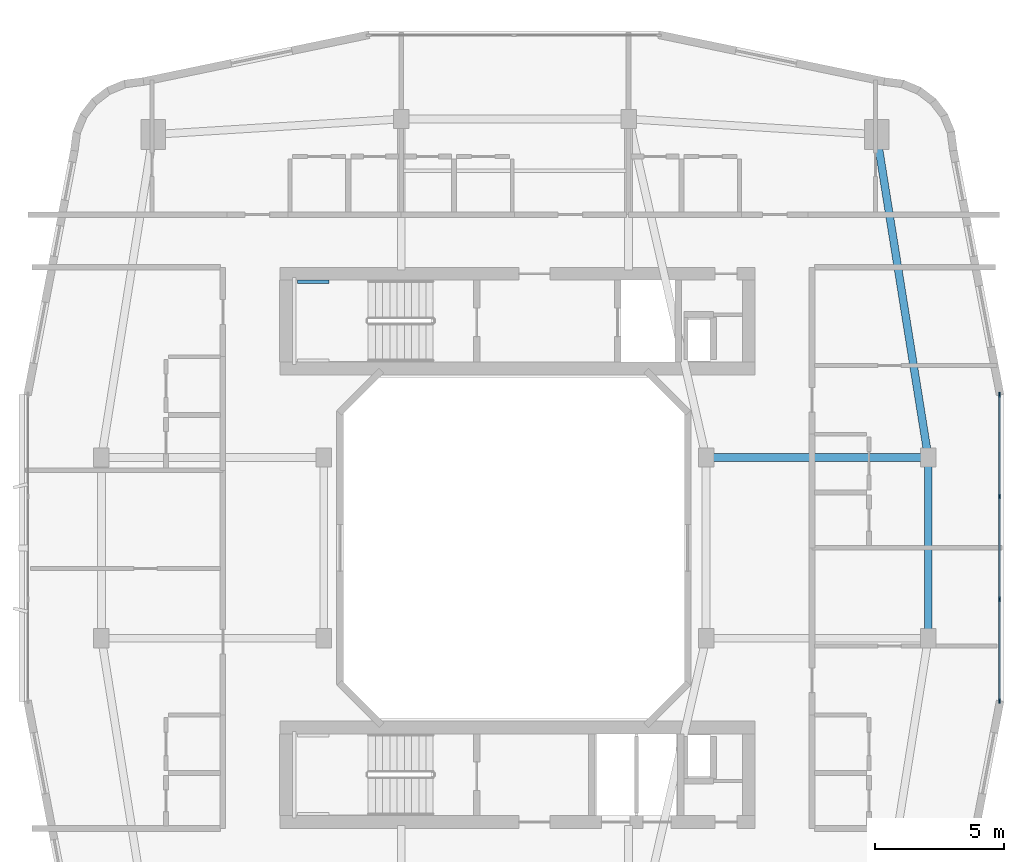
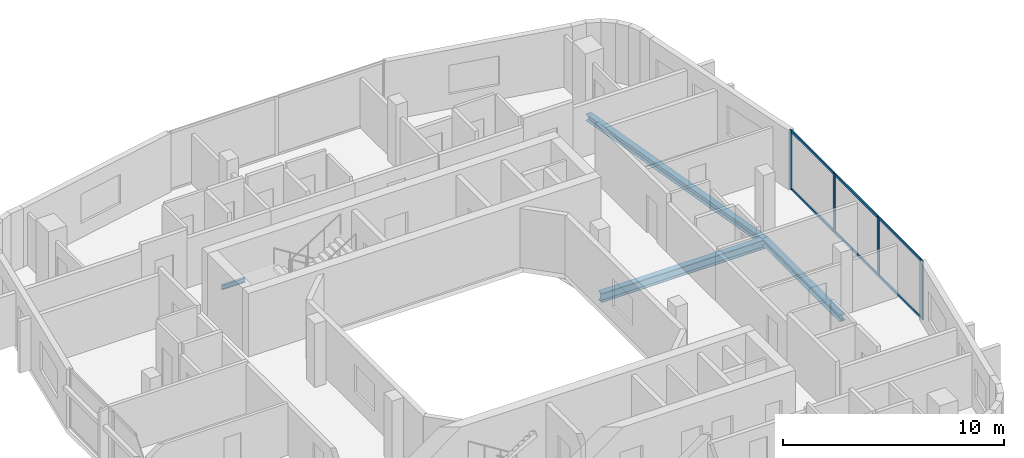
# One storey, part 10 of 27: 10 members, 4 beams, 1 element without a shape of its own.
"""IFC4 building model written with IfcOpenShell, lengths in metres."""

from ifc_helpers import new_model, si_unit, derived_unit, direction, frame, origin, origin_2d, place, context, subcontext, project, spatial, rectangle, i_section, extrude, material, layer, layer_set, material_profile, profile_set, type_object, element, aggregate, save


model = new_model("IFC4")

# Units and contexts
model_context = context("Model", 3, precision=1e-05, world=origin(), true_north=direction((0.0, 1.0)))
body_context = subcontext(model_context, "Body", "Model", "MODEL_VIEW")
ifc_project = project(units=[si_unit("LENGTHUNIT", "METRE"), si_unit("AREAUNIT", "SQUARE_METRE"), si_unit("VOLUMEUNIT", "CUBIC_METRE"), si_unit("PLANEANGLEUNIT", "RADIAN"), si_unit("MASSUNIT", "GRAM", prefix="KILO"), derived_unit("THERMALTRANSMITTANCEUNIT", [(si_unit("POWERUNIT", "WATT"), 1), (si_unit("LENGTHUNIT", "METRE"), -2), (si_unit("THERMODYNAMICTEMPERATUREUNIT", "KELVIN"), -1)])], contexts=[model_context])

# Site, building, storey
site_placement = place(None, origin())
site = spatial("IfcSite", under=ifc_project, at=site_placement, CompositionType="ELEMENT")
building_placement = place(site_placement, origin())
building = spatial("IfcBuilding", under=site, at=building_placement, Name="Kivonza Crest Hotel", CompositionType="ELEMENT")
storey_placement = place(building_placement, frame((0.0, 0.0, 73.0)))
storey = spatial("IfcBuildingStorey", under=building, at=storey_placement, Name="L19", CompositionType="ELEMENT", Elevation=73.0)

# Beams
ifc_material_1 = material(Name="Steel S355", Category="steel")
ifc_material_profile_1 = material_profile(ifc_material_1, i_section(OverallWidth=0.300048828125, OverallDepth=0.360107421875, WebThickness=0.012451171875, FlangeThickness=0.0224609375, FilletRadius=0.027099609375, at=origin_2d()), Name="HEB 360")
ifc_profile_set_1 = profile_set([ifc_material_profile_1], Name="Steel S355")
beam_type_1 = type_object("IfcBeamType", Name="BM-HEB360", PredefinedType="SPANDREL", material=ifc_profile_set_1)
beam_1_placement = place(storey_placement, frame((93.0, 21.5, -0.429931640625), z_axis=(0.0, 1.0, 0.0), x_axis=(-1.0, 0.0, 0.0)))
element("IfcBeam", 1, at=beam_1_placement, inside=storey, type_object=beam_type_1, Name="Companion Tower T2 L19 perimeter spandrel E1-E2", PredefinedType="SPANDREL", context=body_context, shape_type="SweptSolid", body=[
    extrude(i_section(OverallWidth=0.300048828125, OverallDepth=0.360107421875, WebThickness=0.012451171875, FlangeThickness=0.0224609375, FilletRadius=0.027099609375, at=origin_2d()), origin(), (0.0, 0.0, 1.0), 7.0),
])
beam_2_placement = place(storey_placement, frame((93.0, 28.5, -0.429931640625), z_axis=(-0.157990501107, 0.987440631917, 0.0), x_axis=(-0.987440631917, -0.157990501107, 0.0)))
element("IfcBeam", 2, at=beam_2_placement, inside=storey, type_object=beam_type_1, Name="Companion Tower T2 L19 perimeter spandrel E2-NE", PredefinedType="SPANDREL", context=body_context, shape_type="SweptSolid", body=[
    extrude(i_section(OverallWidth=0.300048828125, OverallDepth=0.360107421875, WebThickness=0.012451171875, FlangeThickness=0.0224609375, FilletRadius=0.027099609375, at=origin_2d()), origin(), (0.0, 0.0, 1.0), 12.658935546875),
])
ifc_material_profile_2 = material_profile(ifc_material_1, i_section(OverallWidth=0.300048828125, OverallDepth=0.5, WebThickness=0.014404296875, FlangeThickness=0.028076171875, FilletRadius=0.027099609375, at=origin_2d()), Name="HEB 500")
ifc_profile_set_2 = profile_set([ifc_material_profile_2], Name="Steel S355")
beam_type_2 = type_object("IfcBeamType", Name="BM-HEB500", PredefinedType="BEAM", material=ifc_profile_set_2)
beam_3_placement = place(storey_placement, frame((84.39990234375, 28.5, -0.5), z_axis=(1.0, 0.0, 0.0), x_axis=(0.0, 1.0, 0.0)))
element("IfcBeam", 3, at=beam_3_placement, inside=storey, type_object=beam_type_2, Name="Companion Tower T2 L19 girder WR2-E2", PredefinedType="BEAM", context=body_context, shape_type="SweptSolid", body=[
    extrude(i_section(OverallWidth=0.300048828125, OverallDepth=0.5, WebThickness=0.014404296875, FlangeThickness=0.028076171875, FilletRadius=0.027099609375, at=origin_2d()), origin(), (0.0, 0.0, 1.0), 8.60009765625),
])
ifc_material_profile_3 = material_profile(ifc_material_1, i_section(OverallWidth=0.1201171875, OverallDepth=0.239990234375, WebThickness=0.006103515625, FlangeThickness=0.009765625, FilletRadius=0.014892578125, at=origin_2d()), Name="IPE 240")
ifc_profile_set_3 = profile_set([ifc_material_profile_3], Name="Steel S355")
beam_type_3 = type_object("IfcBeamType", Name="BM-LLDG-240", PredefinedType="BEAM", material=ifc_profile_set_3)
beam_4_placement = place(storey_placement, frame((68.590087890625, 35.300048828125, 1.429931640625), z_axis=(1.0, 0.0, 0.0), x_axis=(0.0, 1.0, 0.0)))
element("IfcBeam", 4, at=beam_4_placement, inside=storey, type_object=beam_type_3, Name="Stair ST-T2-N L19 North landing corbel", PredefinedType="BEAM", context=body_context, shape_type="SweptSolid", body=[
    extrude(i_section(OverallWidth=0.1201171875, OverallDepth=0.239990234375, WebThickness=0.006103515625, FlangeThickness=0.009765625, FilletRadius=0.014892578125, at=origin_2d()), origin(), (0.0, 0.0, 1.0), 1.2099609375),
])

# Curtain wall, members
ifc_material_2 = material(Name="Anodised bronze aluminium and low-E double glazing", Category="aluminium")
ifc_layer = layer(ifc_material_2, 0.179931640625)
ifc_layer_set = layer_set([ifc_layer], Name="Anodised bronze aluminium and low-E double glazing")
curtain_wall_type = type_object("IfcCurtainWallType", Name="CW-SYS-4", PredefinedType="NOTDEFINED", material=ifc_layer_set)
curtain_wall_placement = place(storey_placement, origin())
curtain_wall = element("IfcCurtainWall", 5, at=curtain_wall_placement, inside=storey, type_object=curtain_wall_type, Name="L19 unitised curtain wall CW-T2-L19-17", PredefinedType="NOTDEFINED")
ifc_material_3 = material(Name="Anodised bronze aluminium", Category="aluminium")
ifc_material_profile_4 = material_profile(ifc_material_3, rectangle(XDim=0.06494140625, YDim=0.179931640625, at=origin_2d()), Name="CW-M 65x180")
ifc_profile_set_4 = profile_set([ifc_material_profile_4], Name="Anodised bronze aluminium")
member_type_1 = type_object("IfcMemberType", Name="CW-MUL-65x180", PredefinedType="MULLION", material=ifc_profile_set_4)
member_1_placement = place(storey_placement, frame((95.760009765625, 19.072509765625, 0.0), z_axis=(0.0, 0.0, 1.0), x_axis=(-1.0, 0.0, 0.0)))
member_1 = element("IfcMember", 6, at=member_1_placement, type_object=member_type_1, Name="CW-4 mullion 1", PredefinedType="MULLION", context=body_context, shape_type="SweptSolid", body=[
    extrude(rectangle(XDim=0.06494140625, YDim=0.179931640625, at=origin_2d()), origin(), (0.0, 0.0, 1.0), 3.25),
])
member_2_placement = place(storey_placement, frame((95.760009765625, 23.013427734375, 0.0), z_axis=(0.0, 0.0, 1.0), x_axis=(-1.0, 0.0, 0.0)))
member_2 = element("IfcMember", 7, at=member_2_placement, type_object=member_type_1, Name="CW-4 mullion 2", PredefinedType="MULLION", context=body_context, shape_type="SweptSolid", body=[
    extrude(rectangle(XDim=0.06494140625, YDim=0.179931640625, at=origin_2d()), origin(), (0.0, 0.0, 1.0), 3.25),
])
member_3_placement = place(storey_placement, frame((95.760009765625, 26.986572265625, 0.0), z_axis=(0.0, 0.0, 1.0), x_axis=(-1.0, 0.0, 0.0)))
member_3 = element("IfcMember", 8, at=member_3_placement, type_object=member_type_1, Name="CW-4 mullion 3", PredefinedType="MULLION", context=body_context, shape_type="SweptSolid", body=[
    extrude(rectangle(XDim=0.06494140625, YDim=0.179931640625, at=origin_2d()), origin(), (0.0, 0.0, 1.0), 3.25),
])
member_4_placement = place(storey_placement, frame((95.760009765625, 30.927490234375, 0.0), z_axis=(0.0, 0.0, 1.0), x_axis=(-1.0, 0.0, 0.0)))
member_4 = element("IfcMember", 9, at=member_4_placement, type_object=member_type_1, Name="CW-4 mullion 4", PredefinedType="MULLION", context=body_context, shape_type="SweptSolid", body=[
    extrude(rectangle(XDim=0.06494140625, YDim=0.179931640625, at=origin_2d()), origin(), (0.0, 0.0, 1.0), 3.25),
])
ifc_material_profile_5 = material_profile(ifc_material_3, rectangle(XDim=0.06494140625, YDim=0.139892578125, at=origin_2d()), Name="CW-T 65x140")
ifc_profile_set_5 = profile_set([ifc_material_profile_5], Name="Anodised bronze aluminium")
member_type_2 = type_object("IfcMemberType", Name="CW-TRN-65x140", PredefinedType="USERDEFINED", material=ifc_profile_set_5)
member_5_placement = place(storey_placement, frame((95.760009765625, 19.10498046875, 0.032470703125), z_axis=(0.0, 1.0, 0.0), x_axis=(-1.0, 0.0, 0.0)))
member_5 = element("IfcMember", 10, at=member_5_placement, type_object=member_type_2, Name="CW-4 transom 1.1", ObjectType="TRANSOM", PredefinedType="USERDEFINED", context=body_context, shape_type="SweptSolid", body=[
    extrude(rectangle(XDim=0.06494140625, YDim=0.139892578125, at=origin_2d()), origin(), (0.0, 0.0, 1.0), 3.875732421875),
])
member_6_placement = place(storey_placement, frame((95.760009765625, 19.10498046875, 3.217529296875), z_axis=(0.0, 1.0, 0.0), x_axis=(-1.0, 0.0, 0.0)))
member_6 = element("IfcMember", 11, at=member_6_placement, type_object=member_type_2, Name="CW-4 transom 1.2", ObjectType="TRANSOM", PredefinedType="USERDEFINED", context=body_context, shape_type="SweptSolid", body=[
    extrude(rectangle(XDim=0.06494140625, YDim=0.139892578125, at=origin_2d()), origin(), (0.0, 0.0, 1.0), 3.875732421875),
])
member_7_placement = place(storey_placement, frame((95.760009765625, 23.0458984375, 0.032470703125), z_axis=(0.0, 1.0, 0.0), x_axis=(-1.0, 0.0, 0.0)))
member_7 = element("IfcMember", 12, at=member_7_placement, type_object=member_type_2, Name="CW-4 transom 2.1", ObjectType="TRANSOM", PredefinedType="USERDEFINED", context=body_context, shape_type="SweptSolid", body=[
    extrude(rectangle(XDim=0.06494140625, YDim=0.139892578125, at=origin_2d()), origin(), (0.0, 0.0, 1.0), 3.908203125),
])
member_8_placement = place(storey_placement, frame((95.760009765625, 23.0458984375, 3.217529296875), z_axis=(0.0, 1.0, 0.0), x_axis=(-1.0, 0.0, 0.0)))
member_8 = element("IfcMember", 13, at=member_8_placement, type_object=member_type_2, Name="CW-4 transom 2.2", ObjectType="TRANSOM", PredefinedType="USERDEFINED", context=body_context, shape_type="SweptSolid", body=[
    extrude(rectangle(XDim=0.06494140625, YDim=0.139892578125, at=origin_2d()), origin(), (0.0, 0.0, 1.0), 3.908203125),
])
member_9_placement = place(storey_placement, frame((95.760009765625, 27.019287109375, 0.032470703125), z_axis=(0.0, 1.0, 0.0), x_axis=(-1.0, 0.0, 0.0)))
member_9 = element("IfcMember", 14, at=member_9_placement, type_object=member_type_2, Name="CW-4 transom 3.1", ObjectType="TRANSOM", PredefinedType="USERDEFINED", context=body_context, shape_type="SweptSolid", body=[
    extrude(rectangle(XDim=0.06494140625, YDim=0.139892578125, at=origin_2d()), origin(), (0.0, 0.0, 1.0), 3.875732421875),
])
member_10_placement = place(storey_placement, frame((95.760009765625, 27.019287109375, 3.217529296875), z_axis=(0.0, 1.0, 0.0), x_axis=(-1.0, 0.0, 0.0)))
member_10 = element("IfcMember", 15, at=member_10_placement, type_object=member_type_2, Name="CW-4 transom 3.2", ObjectType="TRANSOM", PredefinedType="USERDEFINED", context=body_context, shape_type="SweptSolid", body=[
    extrude(rectangle(XDim=0.06494140625, YDim=0.139892578125, at=origin_2d()), origin(), (0.0, 0.0, 1.0), 3.875732421875),
])
aggregate(curtain_wall, [member_1, member_2, member_3, member_4, member_5, member_6, member_7, member_8, member_9, member_10])

save(model, "model.ifc")
